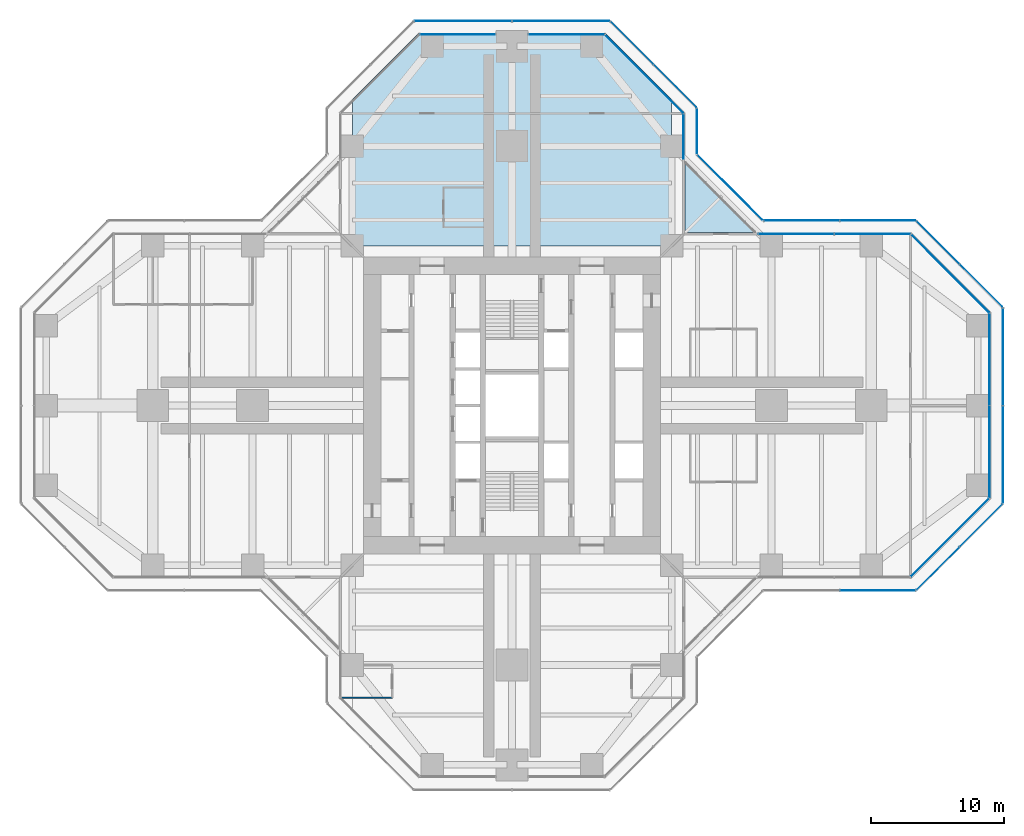
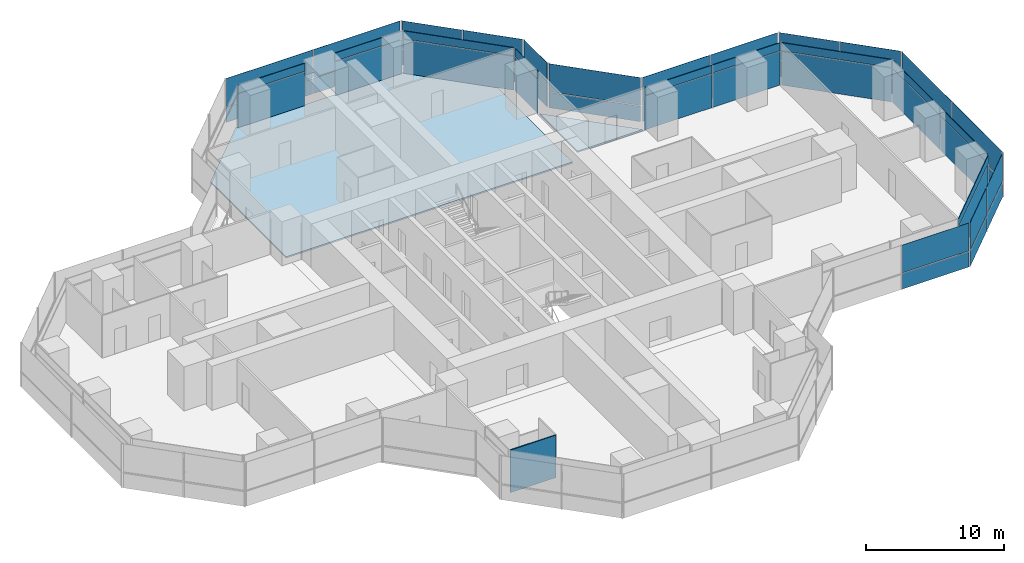
# One storey, part 14 of 19: 50 plates, 2 slabs, 1 wall, 17 elements without a shape of their own.
"""IFC4 building model written with IfcOpenShell, lengths in metres."""

from ifc_helpers import new_model, si_unit, direction, frame, frame_2d, origin, origin_2d, place, context, subcontext, project, spatial, polyline, rectangle, outline, extrude, material, layer, layer_set, type_object, element, aggregate, save


model = new_model("IFC4")

# Units and contexts
model_context = context("Model", 3, precision=1e-05, world=origin(), true_north=direction((0.0, 1.0)))
body_context = subcontext(model_context, "Body", "Model", "MODEL_VIEW")
ifc_project = project(units=[si_unit("LENGTHUNIT", "METRE"), si_unit("AREAUNIT", "SQUARE_METRE"), si_unit("VOLUMEUNIT", "CUBIC_METRE"), si_unit("PLANEANGLEUNIT", "RADIAN"), si_unit("MASSUNIT", "GRAM", prefix="KILO")], contexts=[model_context])

# Site, building, storey
site_placement = place(None, origin())
site = spatial("IfcSite", under=ifc_project, at=site_placement, CompositionType="ELEMENT")
building_placement = place(site_placement, origin())
building = spatial("IfcBuilding", under=site, at=building_placement, Name="Mizan Broadcast Tower", CompositionType="ELEMENT")
storey_placement = place(building_placement, frame((0.0, 0.0, 167.10009765625)))
storey = spatial("IfcBuildingStorey", under=building, at=storey_placement, Name="L38", CompositionType="ELEMENT", Elevation=167.10009765625)

# Slab
ifc_material_1 = material(Name="Concrete C32/40", Category="concrete")
ifc_layer_1 = layer(ifc_material_1, 0.1298828125)
ifc_layer_set_1 = layer_set([ifc_layer_1], Name="Concrete C32/40")
slab_type_1 = type_object("IfcSlabType", Name="COMPOSITE DECK SLAB 130", PredefinedType="FLOOR", material=ifc_layer_set_1)
slab_1_placement = place(storey_placement, frame((0.0, 0.0, -0.130126953125)))
element("IfcSlab", 1, at=slab_1_placement, inside=storey, type_object=slab_type_1, Name="Floor slab L38 north arm", PredefinedType="FLOOR", context=body_context, shape_type="SweptSolid", body=[
    extrude(outline(polyline([(-7.0, 28.0), (-12.0, 23.0), (-12.0, 12.0), (12.0, 12.0), (12.0, 23.0), (7.0, 28.0), (-7.0, 28.0)])), origin(), (0.0, 0.0, 1.0), 0.130126953125),
])

# Curtain wall, plate
ifc_material_2 = material(Name="Aluminium framed glazing", Category="aluminium")
curtain_wall_type_1 = type_object("IfcCurtainWallType", Name="INNER SKIN MID ZONE", PredefinedType="USERDEFINED", material=ifc_material_2)
curtain_wall_1_placement = place(storey_placement, origin())
curtain_wall_1 = element("IfcCurtainWall", 2, at=curtain_wall_1_placement, inside=storey, type_object=curtain_wall_type_1, Name="Inner skin mid zone L38 E chamfer", ObjectType="INNER SKIN MID ZONE", PredefinedType="USERDEFINED")
ifc_material_3 = material(Name="Double glazing, clear low-e", Category="glass")
ifc_layer_2 = layer(ifc_material_3, 0.028076171875)
ifc_layer_set_2 = layer_set([ifc_layer_2], Name="Double glazing, clear low-e")
plate_type_1 = type_object("IfcPlateType", Name="INNER SKIN GLAZING UNIT", PredefinedType="CURTAIN_PANEL", material=ifc_layer_set_2)
plate_1_placement = place(storey_placement, frame((32.92919921875, -9.92919921875, 0.0), z_axis=(0.0, 0.0, 1.0), x_axis=(0.707106781187, 0.707106781187, 0.0)))
plate_1 = element("IfcPlate", 3, at=plate_1_placement, type_object=plate_type_1, Name="Inner skin mid zone L38 E chamfer panel 1.1", PredefinedType="CURTAIN_PANEL", context=body_context, shape_type="SweptSolid", body=[
    extrude(rectangle(XDim=8.282470703125, YDim=0.028076171875, at=origin_2d()), origin(), (0.0, 0.0, 1.0), 3.0),
])

# Curtain wall, plates
curtain_wall_2_placement = place(storey_placement, origin())
curtain_wall_2 = element("IfcCurtainWall", 4, at=curtain_wall_2_placement, inside=storey, type_object=curtain_wall_type_1, Name="Inner skin mid zone L38 E end", ObjectType="INNER SKIN MID ZONE", PredefinedType="USERDEFINED")
plate_2_placement = place(storey_placement, frame((35.89990234375, -3.46435546875, 0.0), z_axis=(0.0, 0.0, 1.0), x_axis=(0.0, 1.0, 0.0)))
plate_2 = element("IfcPlate", 5, at=plate_2_placement, type_object=plate_type_1, Name="Inner skin mid zone L38 E end panel 1.1", PredefinedType="CURTAIN_PANEL", context=body_context, shape_type="SweptSolid", body=[
    extrude(rectangle(XDim=6.86865234375, YDim=0.028076171875, at=origin_2d()), origin(), (0.0, 0.0, 1.0), 3.0),
])
plate_3_placement = place(storey_placement, frame((35.89990234375, 3.46435546875, 0.0), z_axis=(0.0, 0.0, 1.0), x_axis=(0.0, 1.0, 0.0)))
plate_3 = element("IfcPlate", 6, at=plate_3_placement, type_object=plate_type_1, Name="Inner skin mid zone L38 E end panel 2.1", PredefinedType="CURTAIN_PANEL", context=body_context, shape_type="SweptSolid", body=[
    extrude(rectangle(XDim=6.86865234375, YDim=0.028076171875, at=origin_2d()), origin(), (0.0, 0.0, 1.0), 3.0),
])

# Curtain wall, plate
curtain_wall_3_placement = place(storey_placement, origin())
curtain_wall_3 = element("IfcCurtainWall", 7, at=curtain_wall_3_placement, inside=storey, type_object=curtain_wall_type_1, Name="Inner skin mid zone L38 E chamfer", ObjectType="INNER SKIN MID ZONE", PredefinedType="USERDEFINED")
plate_4_placement = place(storey_placement, frame((32.92919921875, 9.92919921875, 0.0), z_axis=(0.0, 0.0, 1.0), x_axis=(-0.707106781187, 0.707106781187, 0.0)))
plate_4 = element("IfcPlate", 8, at=plate_4_placement, type_object=plate_type_1, Name="Inner skin mid zone L38 E chamfer panel 1.1", PredefinedType="CURTAIN_PANEL", context=body_context, shape_type="SweptSolid", body=[
    extrude(rectangle(XDim=8.282470703125, YDim=0.028076171875, at=origin_2d()), origin(), (0.0, 0.0, 1.0), 3.0),
])

# Curtain wall, plates
curtain_wall_4_placement = place(storey_placement, origin())
curtain_wall_4 = element("IfcCurtainWall", 9, at=curtain_wall_4_placement, inside=storey, type_object=curtain_wall_type_1, Name="Inner skin mid zone L38 E side", ObjectType="INNER SKIN MID ZONE", PredefinedType="USERDEFINED")
plate_5_placement = place(storey_placement, frame((27.078857421875, 12.89990234375, 0.0), z_axis=(0.0, 0.0, 1.0), x_axis=(-1.0, 0.0, 0.0)))
plate_5 = element("IfcPlate", 10, at=plate_5_placement, type_object=plate_type_1, Name="Inner skin mid zone L38 E side panel 1.1", PredefinedType="CURTAIN_PANEL", context=body_context, shape_type="SweptSolid", body=[
    extrude(rectangle(XDim=5.639404296875, YDim=0.028076171875, at=origin_2d()), origin(), (0.0, 0.0, 1.0), 3.0),
])
plate_6_placement = place(storey_placement, frame((21.379638671875, 12.89990234375, 0.0), z_axis=(0.0, 0.0, 1.0), x_axis=(-1.0, 0.0, 0.0)))
plate_6 = element("IfcPlate", 11, at=plate_6_placement, type_object=plate_type_1, Name="Inner skin mid zone L38 E side panel 2.1", PredefinedType="CURTAIN_PANEL", context=body_context, shape_type="SweptSolid", body=[
    extrude(rectangle(XDim=5.639404296875, YDim=0.028076171875, at=origin_2d()), origin(), (0.0, 0.0, 1.0), 3.0),
])

# Curtain wall, plate
curtain_wall_5_placement = place(storey_placement, origin())
curtain_wall_5 = element("IfcCurtainWall", 12, at=curtain_wall_5_placement, inside=storey, type_object=curtain_wall_type_1, Name="Inner skin mid zone L38 N side", ObjectType="INNER SKIN MID ZONE", PredefinedType="USERDEFINED")
plate_7_placement = place(storey_placement, frame((12.89990234375, 20.229248046875, 0.0), z_axis=(0.0, 0.0, 1.0), x_axis=(0.0, 1.0, 0.0)))
plate_7 = element("IfcPlate", 13, at=plate_7_placement, type_object=plate_type_1, Name="Inner skin mid zone L38 N side panel 1.1", PredefinedType="CURTAIN_PANEL", context=body_context, shape_type="SweptSolid", body=[
    extrude(rectangle(XDim=3.338623046875, YDim=0.028076171875, at=origin_2d()), origin(), (0.0, 0.0, 1.0), 3.0),
])

curtain_wall_6_placement = place(storey_placement, origin())
curtain_wall_6 = element("IfcCurtainWall", 14, at=curtain_wall_6_placement, inside=storey, type_object=curtain_wall_type_1, Name="Inner skin mid zone L38 N chamfer", ObjectType="INNER SKIN MID ZONE", PredefinedType="USERDEFINED")
plate_8_placement = place(storey_placement, frame((9.92919921875, 24.92919921875, 0.0), z_axis=(0.0, 0.0, 1.0), x_axis=(-0.707106781187, 0.707106781187, 0.0)))
plate_8 = element("IfcPlate", 15, at=plate_8_placement, type_object=plate_type_1, Name="Inner skin mid zone L38 N chamfer panel 1.1", PredefinedType="CURTAIN_PANEL", context=body_context, shape_type="SweptSolid", body=[
    extrude(rectangle(XDim=8.282470703125, YDim=0.028076171875, at=origin_2d()), origin(), (0.0, 0.0, 1.0), 3.0),
])

curtain_wall_7_placement = place(storey_placement, origin())
curtain_wall_7 = element("IfcCurtainWall", 16, at=curtain_wall_7_placement, inside=storey, type_object=curtain_wall_type_1, Name="Inner skin mid zone L38 N end", ObjectType="INNER SKIN MID ZONE", PredefinedType="USERDEFINED")
plate_9_placement = place(storey_placement, frame((4.079345703125, 27.89990234375, 0.0), z_axis=(0.0, 0.0, 1.0), x_axis=(-1.0, 0.0, 0.0)))
plate_9 = element("IfcPlate", 17, at=plate_9_placement, type_object=plate_type_1, Name="Inner skin mid zone L38 N end panel 1.1", PredefinedType="CURTAIN_PANEL", context=body_context, shape_type="SweptSolid", body=[
    extrude(rectangle(XDim=5.638671875, YDim=0.028076171875, at=origin_2d()), origin(), (0.0, 0.0, 1.0), 3.0),
])

curtain_wall_8_placement = place(storey_placement, origin())
curtain_wall_8 = element("IfcCurtainWall", 18, at=curtain_wall_8_placement, inside=storey, type_object=curtain_wall_type_1, Name="Inner skin mid zone L38 N end", ObjectType="INNER SKIN MID ZONE", PredefinedType="USERDEFINED")
plate_10_placement = place(storey_placement, frame((-4.079345703125, 27.89990234375, 0.0), z_axis=(0.0, 0.0, 1.0), x_axis=(-1.0, 0.0, 0.0)))
plate_10 = element("IfcPlate", 19, at=plate_10_placement, type_object=plate_type_1, Name="Inner skin mid zone L38 N end panel 1.1", PredefinedType="CURTAIN_PANEL", context=body_context, shape_type="SweptSolid", body=[
    extrude(rectangle(XDim=5.638671875, YDim=0.028076171875, at=origin_2d()), origin(), (0.0, 0.0, 1.0), 3.0),
])

# Plate
ifc_material_4 = material(Name="Insulated aluminium spandrel panel, pale anodised", Category="aluminium")
ifc_layer_3 = layer(ifc_material_4, 0.050048828125)
ifc_layer_set_3 = layer_set([ifc_layer_3], Name="Insulated aluminium spandrel panel, pale anodised")
plate_type_2 = type_object("IfcPlateType", Name="INNER SKIN SPANDREL PANEL", PredefinedType="CURTAIN_PANEL", material=ifc_layer_set_3)
plate_11_placement = place(storey_placement, frame((32.92919921875, -9.92919921875, 3.059814453125), z_axis=(0.0, 0.0, 1.0), x_axis=(0.707106781187, 0.707106781187, 0.0)))
plate_11 = element("IfcPlate", 20, at=plate_11_placement, type_object=plate_type_2, Name="Inner skin mid zone L38 E chamfer panel 1.2", PredefinedType="CURTAIN_PANEL", context=body_context, shape_type="SweptSolid", body=[
    extrude(rectangle(XDim=8.282470703125, YDim=0.050048828125, at=origin_2d()), origin(), (0.0, 0.0, 1.0), 0.7099609375),
])

aggregate(curtain_wall_1, [plate_1, plate_11])

plate_12_placement = place(storey_placement, frame((35.89990234375, -3.46435546875, 3.059814453125), z_axis=(0.0, 0.0, 1.0), x_axis=(0.0, 1.0, 0.0)))
plate_12 = element("IfcPlate", 21, at=plate_12_placement, type_object=plate_type_2, Name="Inner skin mid zone L38 E end panel 1.2", PredefinedType="CURTAIN_PANEL", context=body_context, shape_type="SweptSolid", body=[
    extrude(rectangle(XDim=6.86865234375, YDim=0.050048828125, at=origin_2d()), origin(), (0.0, 0.0, 1.0), 0.7099609375),
])

plate_13_placement = place(storey_placement, frame((35.89990234375, 3.46435546875, 3.059814453125), z_axis=(0.0, 0.0, 1.0), x_axis=(0.0, 1.0, 0.0)))
plate_13 = element("IfcPlate", 22, at=plate_13_placement, type_object=plate_type_2, Name="Inner skin mid zone L38 E end panel 2.2", PredefinedType="CURTAIN_PANEL", context=body_context, shape_type="SweptSolid", body=[
    extrude(rectangle(XDim=6.86865234375, YDim=0.050048828125, at=origin_2d()), origin(), (0.0, 0.0, 1.0), 0.7099609375),
])

aggregate(curtain_wall_2, [plate_2, plate_12, plate_3, plate_13])

plate_14_placement = place(storey_placement, frame((32.92919921875, 9.92919921875, 3.059814453125), z_axis=(0.0, 0.0, 1.0), x_axis=(-0.707106781187, 0.707106781187, 0.0)))
plate_14 = element("IfcPlate", 23, at=plate_14_placement, type_object=plate_type_2, Name="Inner skin mid zone L38 E chamfer panel 1.2", PredefinedType="CURTAIN_PANEL", context=body_context, shape_type="SweptSolid", body=[
    extrude(rectangle(XDim=8.282470703125, YDim=0.050048828125, at=origin_2d()), origin(), (0.0, 0.0, 1.0), 0.7099609375),
])

aggregate(curtain_wall_3, [plate_4, plate_14])

plate_15_placement = place(storey_placement, frame((27.078857421875, 12.89990234375, 3.059814453125), z_axis=(0.0, 0.0, 1.0), x_axis=(-1.0, 0.0, 0.0)))
plate_15 = element("IfcPlate", 24, at=plate_15_placement, type_object=plate_type_2, Name="Inner skin mid zone L38 E side panel 1.2", PredefinedType="CURTAIN_PANEL", context=body_context, shape_type="SweptSolid", body=[
    extrude(rectangle(XDim=5.639404296875, YDim=0.050048828125, at=origin_2d()), origin(), (0.0, 0.0, 1.0), 0.7099609375),
])

plate_16_placement = place(storey_placement, frame((21.379638671875, 12.89990234375, 3.059814453125), z_axis=(0.0, 0.0, 1.0), x_axis=(-1.0, 0.0, 0.0)))
plate_16 = element("IfcPlate", 25, at=plate_16_placement, type_object=plate_type_2, Name="Inner skin mid zone L38 E side panel 2.2", PredefinedType="CURTAIN_PANEL", context=body_context, shape_type="SweptSolid", body=[
    extrude(rectangle(XDim=5.639404296875, YDim=0.050048828125, at=origin_2d()), origin(), (0.0, 0.0, 1.0), 0.7099609375),
])

aggregate(curtain_wall_4, [plate_5, plate_15, plate_6, plate_16])

plate_17_placement = place(storey_placement, frame((12.89990234375, 20.229248046875, 3.059814453125), z_axis=(0.0, 0.0, 1.0), x_axis=(0.0, 1.0, 0.0)))
plate_17 = element("IfcPlate", 26, at=plate_17_placement, type_object=plate_type_2, Name="Inner skin mid zone L38 N side panel 1.2", PredefinedType="CURTAIN_PANEL", context=body_context, shape_type="SweptSolid", body=[
    extrude(rectangle(XDim=3.338623046875, YDim=0.050048828125, at=origin_2d()), origin(), (0.0, 0.0, 1.0), 0.7099609375),
])

aggregate(curtain_wall_5, [plate_7, plate_17])

plate_18_placement = place(storey_placement, frame((9.92919921875, 24.92919921875, 3.059814453125), z_axis=(0.0, 0.0, 1.0), x_axis=(-0.707106781187, 0.707106781187, 0.0)))
plate_18 = element("IfcPlate", 27, at=plate_18_placement, type_object=plate_type_2, Name="Inner skin mid zone L38 N chamfer panel 1.2", PredefinedType="CURTAIN_PANEL", context=body_context, shape_type="SweptSolid", body=[
    extrude(rectangle(XDim=8.282470703125, YDim=0.050048828125, at=origin_2d()), origin(), (0.0, 0.0, 1.0), 0.7099609375),
])

aggregate(curtain_wall_6, [plate_8, plate_18])

plate_19_placement = place(storey_placement, frame((4.079345703125, 27.89990234375, 3.059814453125), z_axis=(0.0, 0.0, 1.0), x_axis=(-1.0, 0.0, 0.0)))
plate_19 = element("IfcPlate", 28, at=plate_19_placement, type_object=plate_type_2, Name="Inner skin mid zone L38 N end panel 1.2", PredefinedType="CURTAIN_PANEL", context=body_context, shape_type="SweptSolid", body=[
    extrude(rectangle(XDim=5.638671875, YDim=0.050048828125, at=origin_2d()), origin(), (0.0, 0.0, 1.0), 0.7099609375),
])

aggregate(curtain_wall_7, [plate_9, plate_19])

plate_20_placement = place(storey_placement, frame((-4.079345703125, 27.89990234375, 3.059814453125), z_axis=(0.0, 0.0, 1.0), x_axis=(-1.0, 0.0, 0.0)))
plate_20 = element("IfcPlate", 29, at=plate_20_placement, type_object=plate_type_2, Name="Inner skin mid zone L38 N end panel 1.2", PredefinedType="CURTAIN_PANEL", context=body_context, shape_type="SweptSolid", body=[
    extrude(rectangle(XDim=5.638671875, YDim=0.050048828125, at=origin_2d()), origin(), (0.0, 0.0, 1.0), 0.7099609375),
])

aggregate(curtain_wall_8, [plate_10, plate_20])

# Curtain wall, plates
ifc_material_5 = material(Name="Aluminium framed glazing", Category="aluminium")
curtain_wall_type_2 = type_object("IfcCurtainWallType", Name="OUTER SKIN", PredefinedType="USERDEFINED", material=ifc_material_5)
curtain_wall_9_placement = place(storey_placement, origin())
curtain_wall_9 = element("IfcCurtainWall", 30, at=curtain_wall_9_placement, inside=storey, type_object=curtain_wall_type_2, Name="Outer skin L38 E chamfer", ObjectType="OUTER SKIN", PredefinedType="USERDEFINED")
ifc_material_6 = material(Name="Laminated clear glass", Category="glass")
ifc_layer_4 = layer(ifc_material_6, 0.02001953125)
ifc_layer_set_4 = layer_set([ifc_layer_4], Name="Laminated clear glass")
plate_type_3 = type_object("IfcPlateType", Name="OUTER SKIN CLEAR GLASS", PredefinedType="CURTAIN_PANEL", material=ifc_layer_set_4)
plate_21_placement = place(storey_placement, frame((32.018798828125, -12.254150390625, -0.000244140625), z_axis=(0.0, 0.0, 1.0), x_axis=(0.707106781187, 0.707106781187, 0.0)))
plate_21 = element("IfcPlate", 31, at=plate_21_placement, type_object=plate_type_3, Name="Outer skin L38 E chamfer panel 1.1", PredefinedType="CURTAIN_PANEL", context=body_context, shape_type="SweptSolid", body=[
    extrude(rectangle(XDim=4.495361328125, YDim=0.02001953125, at=origin_2d()), origin(), (0.0, 0.0, 1.0), 1.3701171875),
])
plate_22_placement = place(storey_placement, frame((32.018798828125, -12.254150390625, 1.4296875), z_axis=(0.0, 0.0, 1.0), x_axis=(0.707106781187, 0.707106781187, 0.0)))
plate_22 = element("IfcPlate", 32, at=plate_22_placement, type_object=plate_type_3, Name="Outer skin L38 E chamfer panel 1.2", PredefinedType="CURTAIN_PANEL", context=body_context, shape_type="SweptSolid", body=[
    extrude(rectangle(XDim=4.495361328125, YDim=0.02001953125, at=origin_2d()), origin(), (0.0, 0.0, 1.0), 2.469970703125),
])

curtain_wall_10_placement = place(storey_placement, origin())
curtain_wall_10 = element("IfcCurtainWall", 33, at=curtain_wall_10_placement, inside=storey, type_object=curtain_wall_type_2, Name="Outer skin L38 E end", ObjectType="OUTER SKIN", PredefinedType="USERDEFINED")
plate_23_placement = place(storey_placement, frame((36.89990234375, -3.66650390625, -0.000244140625), z_axis=(0.0, 0.0, 1.0), x_axis=(0.0, 1.0, 0.0)))
plate_23 = element("IfcPlate", 34, at=plate_23_placement, type_object=plate_type_3, Name="Outer skin L38 E end panel 1.1", PredefinedType="CURTAIN_PANEL", context=body_context, shape_type="SweptSolid", body=[
    extrude(rectangle(XDim=7.252685546875, YDim=0.02001953125, at=origin_2d()), origin(), (0.0, 0.0, 1.0), 1.3701171875),
])
plate_24_placement = place(storey_placement, frame((36.89990234375, -3.66650390625, 1.4296875), z_axis=(0.0, 0.0, 1.0), x_axis=(0.0, 1.0, 0.0)))
plate_24 = element("IfcPlate", 35, at=plate_24_placement, type_object=plate_type_3, Name="Outer skin L38 E end panel 1.2", PredefinedType="CURTAIN_PANEL", context=body_context, shape_type="SweptSolid", body=[
    extrude(rectangle(XDim=7.252685546875, YDim=0.02001953125, at=origin_2d()), origin(), (0.0, 0.0, 1.0), 2.469970703125),
])

curtain_wall_11_placement = place(storey_placement, origin())
curtain_wall_11 = element("IfcCurtainWall", 36, at=curtain_wall_11_placement, inside=storey, type_object=curtain_wall_type_2, Name="Outer skin L38 E chamfer", ObjectType="OUTER SKIN", PredefinedType="USERDEFINED")
plate_25_placement = place(storey_placement, frame((35.254150390625, 9.018798828125, -0.000244140625), z_axis=(0.0, 0.0, 1.0), x_axis=(-0.707106781187, 0.707106781187, 0.0)))
plate_25 = element("IfcPlate", 37, at=plate_25_placement, type_object=plate_type_3, Name="Outer skin L38 E chamfer panel 1.1", PredefinedType="CURTAIN_PANEL", context=body_context, shape_type="SweptSolid", body=[
    extrude(rectangle(XDim=4.495361328125, YDim=0.02001953125, at=origin_2d()), origin(), (0.0, 0.0, 1.0), 1.3701171875),
])
plate_26_placement = place(storey_placement, frame((35.254150390625, 9.018798828125, 1.4296875), z_axis=(0.0, 0.0, 1.0), x_axis=(-0.707106781187, 0.707106781187, 0.0)))
plate_26 = element("IfcPlate", 38, at=plate_26_placement, type_object=plate_type_3, Name="Outer skin L38 E chamfer panel 1.2", PredefinedType="CURTAIN_PANEL", context=body_context, shape_type="SweptSolid", body=[
    extrude(rectangle(XDim=4.495361328125, YDim=0.02001953125, at=origin_2d()), origin(), (0.0, 0.0, 1.0), 2.469970703125),
])

curtain_wall_12_placement = place(storey_placement, origin())
curtain_wall_12 = element("IfcCurtainWall", 39, at=curtain_wall_12_placement, inside=storey, type_object=curtain_wall_type_2, Name="Outer skin L38 E side", ObjectType="OUTER SKIN", PredefinedType="USERDEFINED")
plate_27_placement = place(storey_placement, frame((27.477783203125, 13.89990234375, -0.000244140625), z_axis=(0.0, 0.0, 1.0), x_axis=(-1.0, 0.0, 0.0)))
plate_27 = element("IfcPlate", 40, at=plate_27_placement, type_object=plate_type_3, Name="Outer skin L38 E side panel 1.1", PredefinedType="CURTAIN_PANEL", context=body_context, shape_type="SweptSolid", body=[
    extrude(rectangle(XDim=5.6298828125, YDim=0.02001953125, at=origin_2d()), origin(), (0.0, 0.0, 1.0), 1.3701171875),
])
plate_28_placement = place(storey_placement, frame((27.477783203125, 13.89990234375, 1.4296875), z_axis=(0.0, 0.0, 1.0), x_axis=(-1.0, 0.0, 0.0)))
plate_28 = element("IfcPlate", 41, at=plate_28_placement, type_object=plate_type_3, Name="Outer skin L38 E side panel 1.2", PredefinedType="CURTAIN_PANEL", context=body_context, shape_type="SweptSolid", body=[
    extrude(rectangle(XDim=5.6298828125, YDim=0.02001953125, at=origin_2d()), origin(), (0.0, 0.0, 1.0), 2.469970703125),
])
plate_29_placement = place(storey_placement, frame((21.767822265625, 13.89990234375, -0.000244140625), z_axis=(0.0, 0.0, 1.0), x_axis=(-1.0, 0.0, 0.0)))
plate_29 = element("IfcPlate", 42, at=plate_29_placement, type_object=plate_type_3, Name="Outer skin L38 E side panel 2.1", PredefinedType="CURTAIN_PANEL", context=body_context, shape_type="SweptSolid", body=[
    extrude(rectangle(XDim=5.6298828125, YDim=0.02001953125, at=origin_2d()), origin(), (0.0, 0.0, 1.0), 1.3701171875),
])
plate_30_placement = place(storey_placement, frame((21.767822265625, 13.89990234375, 1.4296875), z_axis=(0.0, 0.0, 1.0), x_axis=(-1.0, 0.0, 0.0)))
plate_30 = element("IfcPlate", 43, at=plate_30_placement, type_object=plate_type_3, Name="Outer skin L38 E side panel 2.2", PredefinedType="CURTAIN_PANEL", context=body_context, shape_type="SweptSolid", body=[
    extrude(rectangle(XDim=5.6298828125, YDim=0.02001953125, at=origin_2d()), origin(), (0.0, 0.0, 1.0), 2.469970703125),
])
aggregate(curtain_wall_12, [plate_27, plate_28, plate_29, plate_30])

curtain_wall_13_placement = place(storey_placement, origin())
curtain_wall_13 = element("IfcCurtainWall", 44, at=curtain_wall_13_placement, inside=storey, type_object=curtain_wall_type_2, Name="Outer skin L38 E chamfer", ObjectType="OUTER SKIN", PredefinedType="USERDEFINED")
plate_31_placement = place(storey_placement, frame((16.386474609375, 16.386474609375, -0.000244140625), z_axis=(0.0, 0.0, 1.0), x_axis=(-0.707106781187, 0.707106781187, 0.0)))
plate_31 = element("IfcPlate", 45, at=plate_31_placement, type_object=plate_type_3, Name="Outer skin L38 E chamfer panel 1.1", PredefinedType="CURTAIN_PANEL", context=body_context, shape_type="SweptSolid", body=[
    extrude(rectangle(XDim=6.87255859375, YDim=0.02001953125, at=origin_2d()), origin(), (0.0, 0.0, 1.0), 1.3701171875),
])
plate_32_placement = place(storey_placement, frame((16.386474609375, 16.386474609375, 1.4296875), z_axis=(0.0, 0.0, 1.0), x_axis=(-0.707106781187, 0.707106781187, 0.0)))
plate_32 = element("IfcPlate", 46, at=plate_32_placement, type_object=plate_type_3, Name="Outer skin L38 E chamfer panel 1.2", PredefinedType="CURTAIN_PANEL", context=body_context, shape_type="SweptSolid", body=[
    extrude(rectangle(XDim=6.87255859375, YDim=0.02001953125, at=origin_2d()), origin(), (0.0, 0.0, 1.0), 2.469970703125),
])
aggregate(curtain_wall_13, [plate_31, plate_32])

curtain_wall_14_placement = place(storey_placement, origin())
curtain_wall_14 = element("IfcCurtainWall", 47, at=curtain_wall_14_placement, inside=storey, type_object=curtain_wall_type_2, Name="Outer skin L38 N side", ObjectType="OUTER SKIN", PredefinedType="USERDEFINED")
plate_33_placement = place(storey_placement, frame((13.89990234375, 20.622802734375, -0.000244140625), z_axis=(0.0, 0.0, 1.0), x_axis=(0.0, 1.0, 0.0)))
plate_33 = element("IfcPlate", 48, at=plate_33_placement, type_object=plate_type_3, Name="Outer skin L38 N side panel 1.1", PredefinedType="CURTAIN_PANEL", context=body_context, shape_type="SweptSolid", body=[
    extrude(rectangle(XDim=3.340087890625, YDim=0.02001953125, at=origin_2d()), origin(), (0.0, 0.0, 1.0), 1.3701171875),
])
plate_34_placement = place(storey_placement, frame((13.89990234375, 20.622802734375, 1.4296875), z_axis=(0.0, 0.0, 1.0), x_axis=(0.0, 1.0, 0.0)))
plate_34 = element("IfcPlate", 49, at=plate_34_placement, type_object=plate_type_3, Name="Outer skin L38 N side panel 1.2", PredefinedType="CURTAIN_PANEL", context=body_context, shape_type="SweptSolid", body=[
    extrude(rectangle(XDim=3.340087890625, YDim=0.02001953125, at=origin_2d()), origin(), (0.0, 0.0, 1.0), 2.469970703125),
])
aggregate(curtain_wall_14, [plate_33, plate_34])

curtain_wall_15_placement = place(storey_placement, origin())
curtain_wall_15 = element("IfcCurtainWall", 50, at=curtain_wall_15_placement, inside=storey, type_object=curtain_wall_type_2, Name="Outer skin L38 N chamfer", ObjectType="OUTER SKIN", PredefinedType="USERDEFINED")
plate_35_placement = place(storey_placement, frame((12.254150390625, 24.018798828125, -0.000244140625), z_axis=(0.0, 0.0, 1.0), x_axis=(-0.707106781187, 0.707106781187, 0.0)))
plate_35 = element("IfcPlate", 51, at=plate_35_placement, type_object=plate_type_3, Name="Outer skin L38 N chamfer panel 1.1", PredefinedType="CURTAIN_PANEL", context=body_context, shape_type="SweptSolid", body=[
    extrude(rectangle(XDim=4.495361328125, YDim=0.02001953125, at=origin_2d()), origin(), (0.0, 0.0, 1.0), 1.3701171875),
])
plate_36_placement = place(storey_placement, frame((12.254150390625, 24.018798828125, 1.4296875), z_axis=(0.0, 0.0, 1.0), x_axis=(-0.707106781187, 0.707106781187, 0.0)))
plate_36 = element("IfcPlate", 52, at=plate_36_placement, type_object=plate_type_3, Name="Outer skin L38 N chamfer panel 1.2", PredefinedType="CURTAIN_PANEL", context=body_context, shape_type="SweptSolid", body=[
    extrude(rectangle(XDim=4.495361328125, YDim=0.02001953125, at=origin_2d()), origin(), (0.0, 0.0, 1.0), 2.469970703125),
])

curtain_wall_16_placement = place(storey_placement, origin())
curtain_wall_16 = element("IfcCurtainWall", 53, at=curtain_wall_16_placement, inside=storey, type_object=curtain_wall_type_2, Name="Outer skin L38 N end", ObjectType="OUTER SKIN", PredefinedType="USERDEFINED")
plate_37_placement = place(storey_placement, frame((3.66650390625, 28.89990234375, -0.000244140625), z_axis=(0.0, 0.0, 1.0), x_axis=(-1.0, 0.0, 0.0)))
plate_37 = element("IfcPlate", 54, at=plate_37_placement, type_object=plate_type_3, Name="Outer skin L38 N end panel 1.1", PredefinedType="CURTAIN_PANEL", context=body_context, shape_type="SweptSolid", body=[
    extrude(rectangle(XDim=7.252685546875, YDim=0.02001953125, at=origin_2d()), origin(), (0.0, 0.0, 1.0), 1.3701171875),
])
plate_38_placement = place(storey_placement, frame((3.66650390625, 28.89990234375, 1.4296875), z_axis=(0.0, 0.0, 1.0), x_axis=(-1.0, 0.0, 0.0)))
plate_38 = element("IfcPlate", 55, at=plate_38_placement, type_object=plate_type_3, Name="Outer skin L38 N end panel 1.2", PredefinedType="CURTAIN_PANEL", context=body_context, shape_type="SweptSolid", body=[
    extrude(rectangle(XDim=7.252685546875, YDim=0.02001953125, at=origin_2d()), origin(), (0.0, 0.0, 1.0), 2.469970703125),
])
plate_39_placement = place(storey_placement, frame((-3.66650390625, 28.89990234375, -0.000244140625), z_axis=(0.0, 0.0, 1.0), x_axis=(-1.0, 0.0, 0.0)))
plate_39 = element("IfcPlate", 56, at=plate_39_placement, type_object=plate_type_3, Name="Outer skin L38 N end panel 2.1", PredefinedType="CURTAIN_PANEL", context=body_context, shape_type="SweptSolid", body=[
    extrude(rectangle(XDim=7.252685546875, YDim=0.02001953125, at=origin_2d()), origin(), (0.0, 0.0, 1.0), 1.3701171875),
])
plate_40_placement = place(storey_placement, frame((-3.66650390625, 28.89990234375, 1.4296875), z_axis=(0.0, 0.0, 1.0), x_axis=(-1.0, 0.0, 0.0)))
plate_40 = element("IfcPlate", 57, at=plate_40_placement, type_object=plate_type_3, Name="Outer skin L38 N end panel 2.2", PredefinedType="CURTAIN_PANEL", context=body_context, shape_type="SweptSolid", body=[
    extrude(rectangle(XDim=7.252685546875, YDim=0.02001953125, at=origin_2d()), origin(), (0.0, 0.0, 1.0), 2.469970703125),
])
aggregate(curtain_wall_16, [plate_37, plate_38, plate_39, plate_40])

# Plate
ifc_material_7 = material(Name="Perforated aluminium, pale anodised", Category="aluminium")
ifc_layer_5 = layer(ifc_material_7, 0.011962890625)
ifc_layer_set_5 = layer_set([ifc_layer_5], Name="Perforated aluminium, pale anodised")
plate_type_4 = type_object("IfcPlateType", Name="OUTER SKIN PERFORATED SCREEN", PredefinedType="USERDEFINED", material=ifc_layer_set_5)
plate_41_placement = place(storey_placement, frame((35.254150390625, -9.018798828125, -0.000244140625), z_axis=(0.0, 0.0, 1.0), x_axis=(0.707106781187, 0.707106781187, 0.0)))
plate_41 = element("IfcPlate", 58, at=plate_41_placement, type_object=plate_type_4, Name="Outer skin L38 E chamfer panel 2.1", ObjectType="SCREEN", PredefinedType="USERDEFINED", context=body_context, shape_type="SweptSolid", body=[
    extrude(rectangle(XDim=4.495361328125, YDim=0.011962890625, at=origin_2d()), origin(), (0.0, 0.0, 1.0), 1.3701171875),
])

plate_42_placement = place(storey_placement, frame((35.254150390625, -9.018798828125, 1.4296875), z_axis=(0.0, 0.0, 1.0), x_axis=(0.707106781187, 0.707106781187, 0.0)))
plate_42 = element("IfcPlate", 59, at=plate_42_placement, type_object=plate_type_4, Name="Outer skin L38 E chamfer panel 2.2", ObjectType="SCREEN", PredefinedType="USERDEFINED", context=body_context, shape_type="SweptSolid", body=[
    extrude(rectangle(XDim=4.495361328125, YDim=0.011962890625, at=origin_2d()), origin(), (0.0, 0.0, 1.0), 2.469970703125),
])

aggregate(curtain_wall_9, [plate_21, plate_22, plate_41, plate_42])

plate_43_placement = place(storey_placement, frame((36.89990234375, 3.66650390625, -0.000244140625), z_axis=(0.0, 0.0, 1.0), x_axis=(0.0, 1.0, 0.0)))
plate_43 = element("IfcPlate", 60, at=plate_43_placement, type_object=plate_type_4, Name="Outer skin L38 E end panel 2.1", ObjectType="SCREEN", PredefinedType="USERDEFINED", context=body_context, shape_type="SweptSolid", body=[
    extrude(rectangle(XDim=7.252685546875, YDim=0.011962890625, at=origin_2d()), origin(), (0.0, 0.0, 1.0), 1.3701171875),
])

plate_44_placement = place(storey_placement, frame((36.89990234375, 3.66650390625, 1.4296875), z_axis=(0.0, 0.0, 1.0), x_axis=(0.0, 1.0, 0.0)))
plate_44 = element("IfcPlate", 61, at=plate_44_placement, type_object=plate_type_4, Name="Outer skin L38 E end panel 2.2", ObjectType="SCREEN", PredefinedType="USERDEFINED", context=body_context, shape_type="SweptSolid", body=[
    extrude(rectangle(XDim=7.252685546875, YDim=0.011962890625, at=origin_2d()), origin(), (0.0, 0.0, 1.0), 2.469970703125),
])

aggregate(curtain_wall_10, [plate_23, plate_24, plate_43, plate_44])

plate_45_placement = place(storey_placement, frame((32.018798828125, 12.254150390625, -0.000244140625), z_axis=(0.0, 0.0, 1.0), x_axis=(-0.707106781187, 0.707106781187, 0.0)))
plate_45 = element("IfcPlate", 62, at=plate_45_placement, type_object=plate_type_4, Name="Outer skin L38 E chamfer panel 2.1", ObjectType="SCREEN", PredefinedType="USERDEFINED", context=body_context, shape_type="SweptSolid", body=[
    extrude(rectangle(XDim=4.495361328125, YDim=0.011962890625, at=origin_2d()), origin(), (0.0, 0.0, 1.0), 1.3701171875),
])

plate_46_placement = place(storey_placement, frame((32.018798828125, 12.254150390625, 1.4296875), z_axis=(0.0, 0.0, 1.0), x_axis=(-0.707106781187, 0.707106781187, 0.0)))
plate_46 = element("IfcPlate", 63, at=plate_46_placement, type_object=plate_type_4, Name="Outer skin L38 E chamfer panel 2.2", ObjectType="SCREEN", PredefinedType="USERDEFINED", context=body_context, shape_type="SweptSolid", body=[
    extrude(rectangle(XDim=4.495361328125, YDim=0.011962890625, at=origin_2d()), origin(), (0.0, 0.0, 1.0), 2.469970703125),
])

aggregate(curtain_wall_11, [plate_25, plate_26, plate_45, plate_46])

plate_47_placement = place(storey_placement, frame((9.018798828125, 27.254150390625, -0.000244140625), z_axis=(0.0, 0.0, 1.0), x_axis=(-0.707106781187, 0.707106781187, 0.0)))
plate_47 = element("IfcPlate", 64, at=plate_47_placement, type_object=plate_type_4, Name="Outer skin L38 N chamfer panel 2.1", ObjectType="SCREEN", PredefinedType="USERDEFINED", context=body_context, shape_type="SweptSolid", body=[
    extrude(rectangle(XDim=4.495361328125, YDim=0.011962890625, at=origin_2d()), origin(), (0.0, 0.0, 1.0), 1.3701171875),
])

plate_48_placement = place(storey_placement, frame((9.018798828125, 27.254150390625, 1.4296875), z_axis=(0.0, 0.0, 1.0), x_axis=(-0.707106781187, 0.707106781187, 0.0)))
plate_48 = element("IfcPlate", 65, at=plate_48_placement, type_object=plate_type_4, Name="Outer skin L38 N chamfer panel 2.2", ObjectType="SCREEN", PredefinedType="USERDEFINED", context=body_context, shape_type="SweptSolid", body=[
    extrude(rectangle(XDim=4.495361328125, YDim=0.011962890625, at=origin_2d()), origin(), (0.0, 0.0, 1.0), 2.469970703125),
])

aggregate(curtain_wall_15, [plate_35, plate_36, plate_47, plate_48])

# Curtain wall, plates
curtain_wall_17_placement = place(storey_placement, origin())
curtain_wall_17 = element("IfcCurtainWall", 66, at=curtain_wall_17_placement, inside=storey, type_object=curtain_wall_type_2, Name="Outer skin L38 E side", ObjectType="OUTER SKIN", PredefinedType="USERDEFINED")
plate_49_placement = place(storey_placement, frame((27.477783203125, -13.89990234375, -0.000244140625), z_axis=(0.0, 0.0, 1.0), x_axis=(1.0, 0.0, 0.0)))
plate_49 = element("IfcPlate", 67, at=plate_49_placement, type_object=plate_type_4, Name="Outer skin L38 E side panel 2.1", ObjectType="SCREEN", PredefinedType="USERDEFINED", context=body_context, shape_type="SweptSolid", body=[
    extrude(rectangle(XDim=5.6298828125, YDim=0.011962890625, at=origin_2d()), origin(), (0.0, 0.0, 1.0), 1.3701171875),
])
plate_50_placement = place(storey_placement, frame((27.477783203125, -13.89990234375, 1.4296875), z_axis=(0.0, 0.0, 1.0), x_axis=(1.0, 0.0, 0.0)))
plate_50 = element("IfcPlate", 68, at=plate_50_placement, type_object=plate_type_4, Name="Outer skin L38 E side panel 2.2", ObjectType="SCREEN", PredefinedType="USERDEFINED", context=body_context, shape_type="SweptSolid", body=[
    extrude(rectangle(XDim=5.6298828125, YDim=0.011962890625, at=origin_2d()), origin(), (0.0, 0.0, 1.0), 2.469970703125),
])
aggregate(curtain_wall_17, [plate_49, plate_50])

# Slab
ifc_material_8 = material(Name="Concrete C32/40", Category="concrete")
ifc_layer_6 = layer(ifc_material_8, 0.1298828125)
ifc_layer_set_6 = layer_set([ifc_layer_6], Name="Concrete C32/40")
slab_type_2 = type_object("IfcSlabType", Name="WINTER GARDEN SLAB 130", PredefinedType="FLOOR", material=ifc_layer_set_6)
slab_2_placement = place(storey_placement, frame((0.0, 0.0, -0.130126953125)))
element("IfcSlab", 69, at=slab_2_placement, inside=storey, type_object=slab_type_2, Name="Winter garden slab L38 E", PredefinedType="FLOOR", context=body_context, shape_type="SweptSolid", body=[
    extrude(outline(polyline([(13.0, 13.0), (18.5, 13.0), (13.0, 18.5), (13.0, 13.0)])), origin(), (0.0, 0.0, 1.0), 0.130126953125),
])

# Wall
ifc_material_9 = material(Name="Glazed aluminium partition on aluminium track", Category="aluminium")
ifc_layer_7 = layer(ifc_material_9, 0.10009765625)
ifc_layer_set_7 = layer_set([ifc_layer_7], Name="Glazed aluminium partition on aluminium track")
wall_type = type_object("IfcWallType", Name="PARTITION GLAZED OFFICE FRONT 100", PredefinedType="PARTITIONING", material=ifc_layer_set_7)
wall_placement = place(storey_placement, frame((-9.0, -21.958984375, 0.0), z_axis=(0.0, 0.0, 1.0), x_axis=(-1.0, 0.0, 0.0)))
element("IfcWall", 70, at=wall_placement, inside=storey, type_object=wall_type, Name="Glazed office front PT/SQN2196", PredefinedType="PARTITIONING", context=body_context, shape_type="SweptSolid", body=[
    extrude(rectangle(XDim=3.820068359375, YDim=0.10009765625, at=frame_2d((1.91015625, 0.0))), origin(), (0.0, 0.0, 1.0), 3.77001953125),
])

save(model, "model.ifc")
